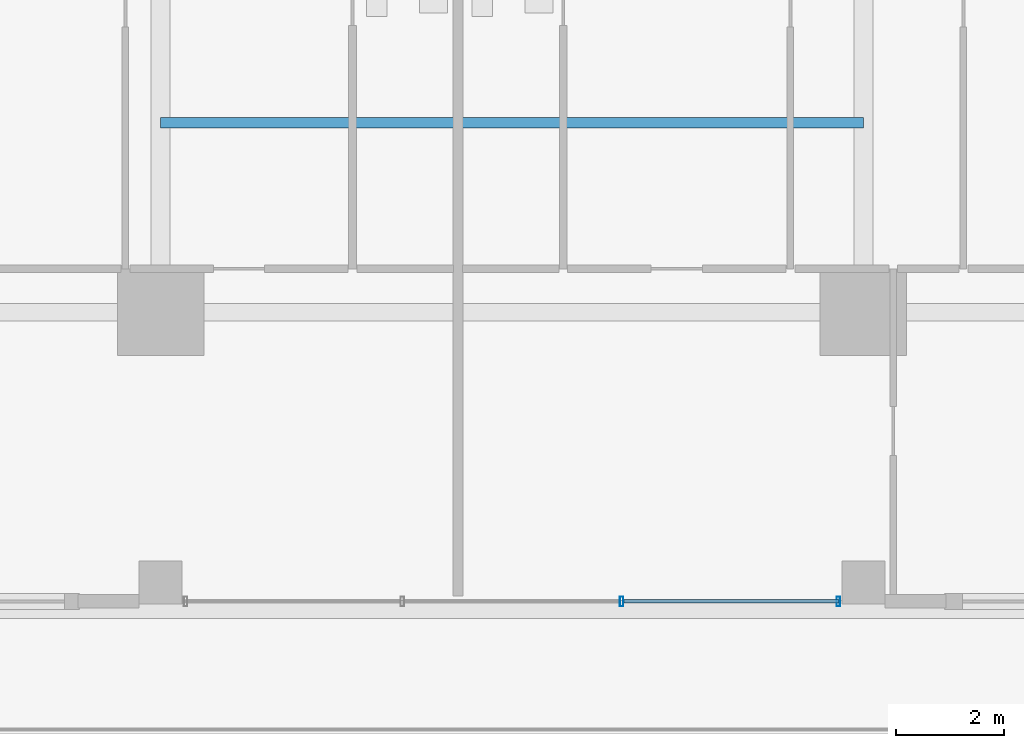
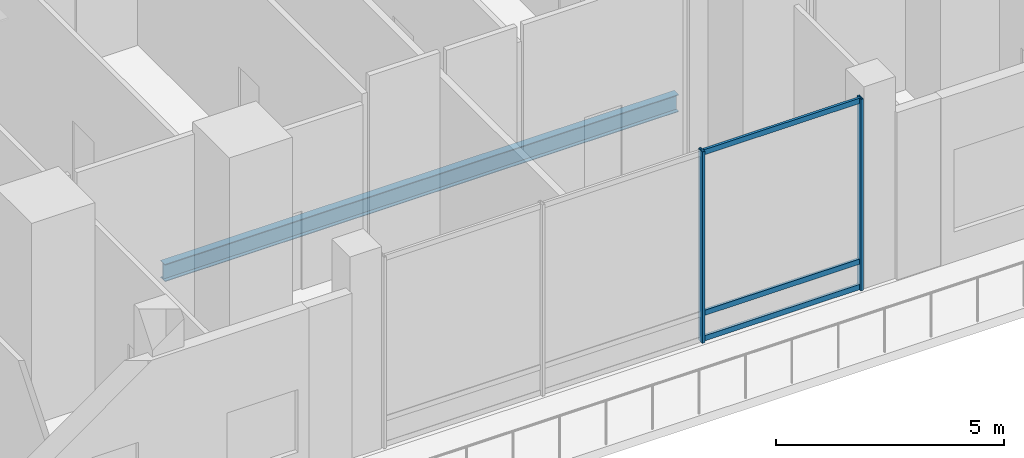
# One storey, part 5 of 32: 5 members, 1 beam, 1 element without a shape of its own.
"""IFC4 building model written with IfcOpenShell, lengths in metres."""

from ifc_helpers import new_model, si_unit, direction, frame, origin, origin_2d, place, context, subcontext, project, spatial, hollow_rectangle, i_section, extrude, material, layer, layer_set, material_profile, profile_set, type_object, element, aggregate, save


model = new_model("IFC4")

# Units and contexts
model_context = context("Model", 3, precision=1e-05, world=origin(), true_north=direction((0.0, 1.0)))
body_context = subcontext(model_context, "Body", "Model", "MODEL_VIEW")
ifc_project = project(units=[si_unit("LENGTHUNIT", "METRE"), si_unit("AREAUNIT", "SQUARE_METRE"), si_unit("VOLUMEUNIT", "CUBIC_METRE"), si_unit("PLANEANGLEUNIT", "RADIAN"), si_unit("MASSUNIT", "GRAM", prefix="KILO")], contexts=[model_context])

# Site, building, storey
site_placement = place(None, origin())
site = spatial("IfcSite", under=ifc_project, at=site_placement, CompositionType="ELEMENT")
building_placement = place(site_placement, origin())
building = spatial("IfcBuilding", under=site, at=building_placement, Name="Barlavira Tower and Art Museum", CompositionType="ELEMENT")
storey_placement = place(building_placement, frame((0.0, 0.0, 6.0)))
storey = spatial("IfcBuildingStorey", under=building, at=storey_placement, Name="L01", CompositionType="ELEMENT", Elevation=6.0)

# Curtain wall, members
ifc_material_1 = material(Name="Low-iron coastal laminated glass", Category="glass")
ifc_layer = layer(ifc_material_1, 0.179931640625, Name="Low-iron coastal laminated glass")
ifc_layer_set = layer_set([ifc_layer], Name="Low-iron coastal laminated glass")
curtain_wall_type = type_object("IfcCurtainWallType", Name="Pale-Metal Unitised Curtain Wall Zone 1", PredefinedType="NOTDEFINED", material=ifc_layer_set)
curtain_wall_placement = place(storey_placement, origin())
curtain_wall = element("IfcCurtainWall", 1, at=curtain_wall_placement, inside=storey, type_object=curtain_wall_type, Name="L01 Curtain Wall CW1-L01-S-B2", PredefinedType="NOTDEFINED")
ifc_material_2 = material(Name="Pale anodised aluminium", Category="aluminium")
ifc_material_profile_1 = material_profile(ifc_material_2, hollow_rectangle(XDim=0.06494140625, YDim=0.179931640625, WallThickness=0.00390625, at=origin_2d()), Name="ALU-MULL 65x180x4")
ifc_profile_set_1 = profile_set([ifc_material_profile_1], Name="Pale anodised aluminium")
member_type_1 = type_object("IfcMemberType", Name="Curtain Wall Pale-Metal Mullion 65x180", PredefinedType="MULLION", material=ifc_profile_set_1)
member_1_placement = place(storey_placement, frame((2.026611328125, -25.35009765625, 0.0), z_axis=(0.0, 0.0, 1.0), x_axis=(1.0, 0.0, 0.0)))
member_1 = element("IfcMember", 2, at=member_1_placement, type_object=member_type_1, Name="CW1-L01-S-B2 Mullion 2", PredefinedType="MULLION", context=body_context, shape_type="SweptSolid", body=[
    extrude(hollow_rectangle(XDim=0.06494140625, YDim=0.179931640625, WallThickness=0.00390625, at=origin_2d()), origin(), (0.0, 0.0, 1.0), 5.1201171875),
])
member_2_placement = place(storey_placement, frame((6.034912109375, -25.35009765625, 0.0), z_axis=(0.0, 0.0, 1.0), x_axis=(1.0, 0.0, 0.0)))
member_2 = element("IfcMember", 3, at=member_2_placement, type_object=member_type_1, Name="CW1-L01-S-B2 Mullion 3", PredefinedType="MULLION", context=body_context, shape_type="SweptSolid", body=[
    extrude(hollow_rectangle(XDim=0.06494140625, YDim=0.179931640625, WallThickness=0.00390625, at=origin_2d()), origin(), (0.0, 0.0, 1.0), 5.1201171875),
])
ifc_material_profile_2 = material_profile(ifc_material_2, hollow_rectangle(XDim=0.06494140625, YDim=0.139892578125, WallThickness=0.00390625, at=origin_2d()), Name="ALU-TRAN 65x140x4")
ifc_profile_set_2 = profile_set([ifc_material_profile_2], Name="Pale anodised aluminium")
member_type_2 = type_object("IfcMemberType", Name="Curtain Wall Pale-Metal Transom 65x140", PredefinedType="USERDEFINED", material=ifc_profile_set_2)
member_3_placement = place(storey_placement, frame((2.07177734375, -25.35009765625, 0.070068359375), z_axis=(1.0, 0.0, 0.0), x_axis=(0.0, 1.0, 0.0)))
member_3 = element("IfcMember", 4, at=member_3_placement, type_object=member_type_2, Name="CW1-L01-S-B2 Transom 2.1", ObjectType="TRANSOM", PredefinedType="USERDEFINED", context=body_context, shape_type="SweptSolid", body=[
    extrude(hollow_rectangle(XDim=0.06494140625, YDim=0.139892578125, WallThickness=0.00390625, at=origin_2d()), origin(), (0.0, 0.0, 1.0), 3.963134765625),
])
member_4_placement = place(storey_placement, frame((2.07177734375, -25.35009765625, 0.75), z_axis=(1.0, 0.0, 0.0), x_axis=(0.0, 1.0, 0.0)))
member_4 = element("IfcMember", 5, at=member_4_placement, type_object=member_type_2, Name="CW1-L01-S-B2 Transom 2.2", ObjectType="TRANSOM", PredefinedType="USERDEFINED", context=body_context, shape_type="SweptSolid", body=[
    extrude(hollow_rectangle(XDim=0.06494140625, YDim=0.139892578125, WallThickness=0.00390625, at=origin_2d()), origin(), (0.0, 0.0, 1.0), 3.963134765625),
])
member_5_placement = place(storey_placement, frame((2.07177734375, -25.35009765625, 5.050048828125), z_axis=(1.0, 0.0, 0.0), x_axis=(0.0, 1.0, 0.0)))
member_5 = element("IfcMember", 6, at=member_5_placement, type_object=member_type_2, Name="CW1-L01-S-B2 Transom 2.3", ObjectType="TRANSOM", PredefinedType="USERDEFINED", context=body_context, shape_type="SweptSolid", body=[
    extrude(hollow_rectangle(XDim=0.06494140625, YDim=0.139892578125, WallThickness=0.00390625, at=origin_2d()), origin(), (0.0, 0.0, 1.0), 3.963134765625),
])
aggregate(curtain_wall, [member_1, member_2, member_3, member_4, member_5])

# Beam
ifc_material_3 = material(Name="Steel S355", Category="steel")
ifc_material_profile_3 = material_profile(ifc_material_3, i_section(OverallWidth=0.19189453125, OverallDepth=0.462890625, WebThickness=0.010498046875, FlangeThickness=0.017578125, at=origin_2d()), Name="W460x89.0")
ifc_profile_set_3 = profile_set([ifc_material_profile_3], Name="Steel S355")
beam_type = type_object("IfcBeamType", Name="Podium Floor Joist W460x89 Steel S355", PredefinedType="JOIST", material=ifc_profile_set_3)
beam_placement = place(storey_placement, frame((-6.5, -16.5, -0.511474609375), z_axis=(1.0, 0.0, 0.0), x_axis=(0.0, 1.0, 0.0)))
element("IfcBeam", 7, at=beam_placement, inside=storey, type_object=beam_type, Name="L01 Joist C1", PredefinedType="JOIST", context=body_context, shape_type="SweptSolid", body=[
    extrude(i_section(OverallWidth=0.19189453125, OverallDepth=0.462890625, WebThickness=0.010498046875, FlangeThickness=0.017578125, at=origin_2d()), origin(), (0.0, 0.0, 1.0), 13.0),
])

save(model, "model.ifc")
